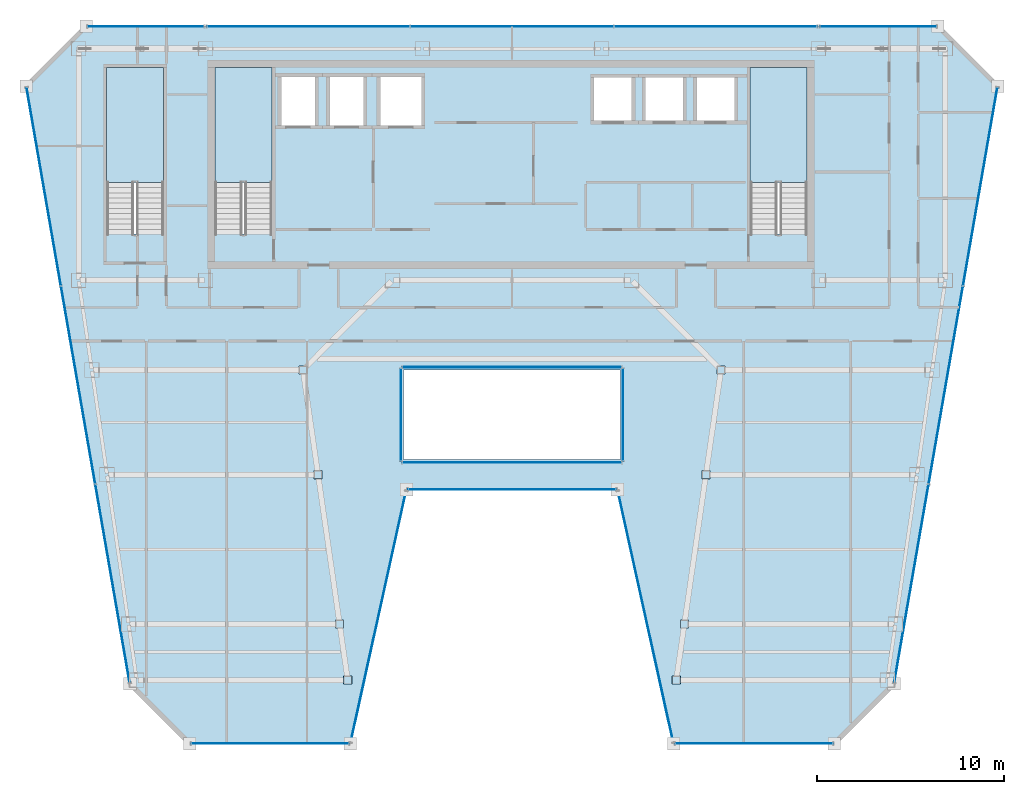
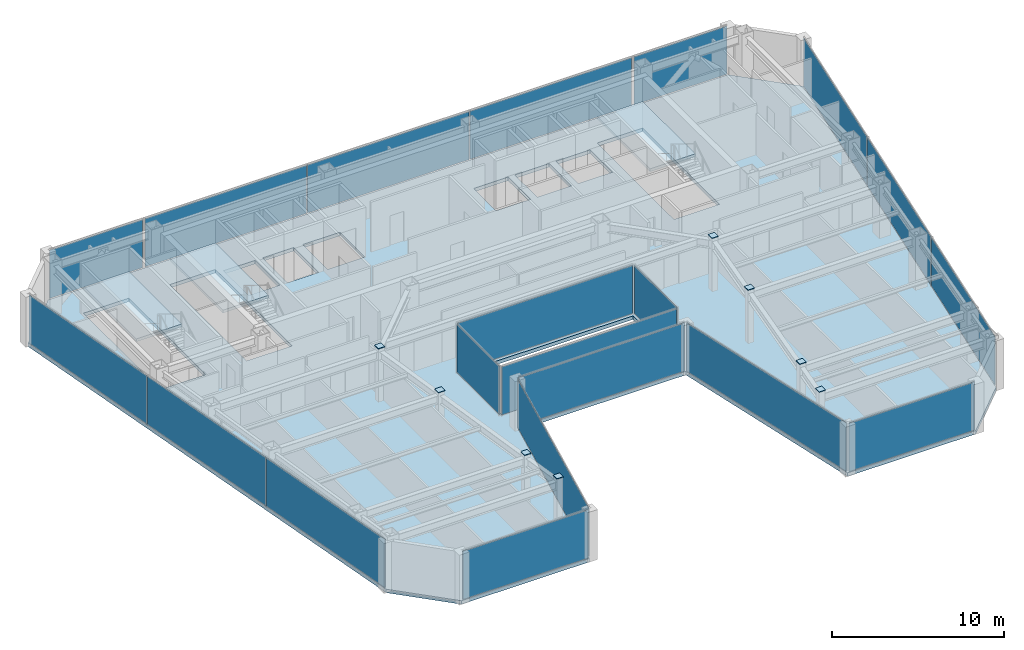
# One storey, part 24 of 33: 28 plates, 4 slabs, 17 elements without a shape of their own.
"""IFC4 building model written with IfcOpenShell, lengths in metres."""

from ifc_helpers import new_model, si_unit, direction, frame, origin, origin_2d, place, context, subcontext, project, spatial, polyline, rectangle, outline, extrude, material, layer, layer_set, type_object, element, aggregate, save


model = new_model("IFC4")

# Units and contexts
model_context = context("Model", 3, precision=1e-05, world=origin(), true_north=direction((0.0, 1.0)))
body_context = subcontext(model_context, "Body", "Model", "MODEL_VIEW")
ifc_project = project(units=[si_unit("LENGTHUNIT", "METRE"), si_unit("AREAUNIT", "SQUARE_METRE"), si_unit("VOLUMEUNIT", "CUBIC_METRE"), si_unit("PLANEANGLEUNIT", "RADIAN"), si_unit("MASSUNIT", "GRAM", prefix="KILO")], contexts=[model_context])

# Site, building, storey
site_placement = place(None, origin())
site = spatial("IfcSite", under=ifc_project, at=site_placement, CompositionType="ELEMENT")
building_placement = place(site_placement, origin())
building = spatial("IfcBuilding", under=site, at=building_placement, Name="Saevonmaru Cultural Tower", CompositionType="ELEMENT")
storey_placement = place(building_placement, frame((0.0, 0.0, 234.39990234375)))
storey = spatial("IfcBuildingStorey", under=building, at=storey_placement, Name="L54", CompositionType="ELEMENT", Elevation=234.39990234375)

# Plates
ifc_material_1 = material(Name="Steel HSA600 (600 MPa)", Category="steel")
ifc_layer_1 = layer(ifc_material_1, 0.0400390625, Name="Steel HSA600 (600 MPa)")
ifc_layer_set_1 = layer_set([ifc_layer_1], Name="Steel HSA600 (600 MPa)")
plate_type_1 = type_object("IfcPlateType", Name="PL-CAP-400", PredefinedType="USERDEFINED", material=ifc_layer_set_1)
for number, where, z_axis, x_axis, name in (
    (1, (38.7939453125, 21.0, 3.795166015625), (0.0, 0.0, 1.0), (1.0, 0.0, 0.0), "Column head cap plate TC-EI-Y210 L54"),
    (2, (39.22802734375, 24.0, 3.795166015625), (0.0, 0.0, 1.0), (1.0, 0.0, 0.0), "Column head cap plate TC-EI-Y240 L54"),
    (3, (40.383056640625, 32.0, 3.795166015625), (0.0, 0.0, 1.0), (1.0, 0.0, 0.0), "Column head cap plate TC-EI-Y320 L54"),
    (4, (41.19189453125, 37.60009765625, 3.795166015625), (0.0, 0.0, 1.0), (1.0, 0.0, 0.0), "Column head cap plate TC-EI-Y376 L54"),
    (5, (21.2060546875, 21.0, 3.795166015625), (0.0, 0.0, 1.0), (1.0, 0.0, 0.0), "Column head cap plate TC-WI-Y210 L54"),
    (6, (20.77197265625, 24.0, 3.795166015625), (0.0, 0.0, 1.0), (1.0, 0.0, 0.0), "Column head cap plate TC-WI-Y240 L54"),
    (7, (19.616943359375, 32.0, 3.795166015625), (0.0, 0.0, 1.0), (1.0, 0.0, 0.0), "Column head cap plate TC-WI-Y320 L54"),
    (8, (18.80810546875, 37.60009765625, 3.795166015625), (0.0, 0.0, 1.0), (1.0, 0.0, 0.0), "Column head cap plate TC-WI-Y376 L54"),
):
    element("IfcPlate", number, at=place(storey_placement, frame(where, z_axis=z_axis, x_axis=x_axis)), inside=storey, type_object=plate_type_1, Name=name, ObjectType="CAP_PLATE", PredefinedType="USERDEFINED", context=body_context, shape_type="SweptSolid", body=[
        extrude(rectangle(XDim=0.43994140625, YDim=0.43994140625, at=origin_2d()), origin(), (0.0, 0.0, 1.0), 0.0400390625),
    ])

# Curtain wall, plate
ifc_material_2 = material(Name="Satin Bronze Anodised Aluminium", Category="aluminium")
curtain_wall_type_1 = type_object("IfcCurtainWallType", Name="CW-ATR-GLZ", PredefinedType="NOTDEFINED", material=ifc_material_2)
curtain_wall_1_placement = place(storey_placement, origin())
curtain_wall_1 = element("IfcCurtainWall", 9, at=curtain_wall_1_placement, inside=storey, type_object=curtain_wall_type_1, Name="L54 Vertical Atrium Glazed Smoke Screen 1", PredefinedType="NOTDEFINED")
ifc_material_3 = material(Name="Fire-Rated Laminated Atrium Glass", Category="glass")
ifc_layer_2 = layer(ifc_material_3, 0.031982421875, Name="Fire-Rated Laminated Atrium Glass")
ifc_layer_set_2 = layer_set([ifc_layer_2], Name="Fire-Rated Laminated Atrium Glass")
plate_type_2 = type_object("IfcPlateType", Name="PN-GLZ-ATR-INT", PredefinedType="CURTAIN_PANEL", material=ifc_layer_set_2)
plate_1_placement = place(storey_placement, frame((30.0, 32.64990234375, 0.067138671875), z_axis=(0.0, 0.0, 1.0), x_axis=(1.0, 0.0, 0.0)))
plate_1 = element("IfcPlate", 10, at=plate_1_placement, type_object=plate_type_2, Name="CW-ATR-L54-1 panel 1.1", PredefinedType="CURTAIN_PANEL", context=body_context, shape_type="SweptSolid", body=[
    extrude(rectangle(XDim=11.7109375, YDim=0.031982421875, at=origin_2d()), origin(), (0.0, 0.0, 1.0), 3.416015625),
])
aggregate(curtain_wall_1, [plate_1])

curtain_wall_2_placement = place(storey_placement, origin())
curtain_wall_2 = element("IfcCurtainWall", 11, at=curtain_wall_2_placement, inside=storey, type_object=curtain_wall_type_1, Name="L54 Vertical Atrium Glazed Smoke Screen 2", PredefinedType="NOTDEFINED")
plate_2_placement = place(storey_placement, frame((35.949951171875, 35.199951171875, 0.067138671875), z_axis=(0.0, 0.0, 1.0), x_axis=(0.0, 1.0, 0.0)))
plate_2 = element("IfcPlate", 12, at=plate_2_placement, type_object=plate_type_2, Name="CW-ATR-L54-2 panel 1.1", PredefinedType="CURTAIN_PANEL", context=body_context, shape_type="SweptSolid", body=[
    extrude(rectangle(XDim=4.910888671875, YDim=0.031982421875, at=origin_2d()), origin(), (0.0, 0.0, 1.0), 3.416015625),
])
aggregate(curtain_wall_2, [plate_2])

curtain_wall_3_placement = place(storey_placement, origin())
curtain_wall_3 = element("IfcCurtainWall", 13, at=curtain_wall_3_placement, inside=storey, type_object=curtain_wall_type_1, Name="L54 Vertical Atrium Glazed Smoke Screen 3", PredefinedType="NOTDEFINED")
plate_3_placement = place(storey_placement, frame((30.0, 37.75, 0.067138671875), z_axis=(0.0, 0.0, 1.0), x_axis=(-1.0, 0.0, 0.0)))
plate_3 = element("IfcPlate", 14, at=plate_3_placement, type_object=plate_type_2, Name="CW-ATR-L54-3 panel 1.1", PredefinedType="CURTAIN_PANEL", context=body_context, shape_type="SweptSolid", body=[
    extrude(rectangle(XDim=11.7109375, YDim=0.031982421875, at=origin_2d()), origin(), (0.0, 0.0, 1.0), 3.416015625),
])
aggregate(curtain_wall_3, [plate_3])

curtain_wall_4_placement = place(storey_placement, origin())
curtain_wall_4 = element("IfcCurtainWall", 15, at=curtain_wall_4_placement, inside=storey, type_object=curtain_wall_type_1, Name="L54 Vertical Atrium Glazed Smoke Screen 4", PredefinedType="NOTDEFINED")
plate_4_placement = place(storey_placement, frame((24.050048828125, 35.199951171875, 0.067138671875), z_axis=(0.0, 0.0, 1.0), x_axis=(0.0, -1.0, 0.0)))
plate_4 = element("IfcPlate", 16, at=plate_4_placement, type_object=plate_type_2, Name="CW-ATR-L54-4 panel 1.1", PredefinedType="CURTAIN_PANEL", context=body_context, shape_type="SweptSolid", body=[
    extrude(rectangle(XDim=4.910888671875, YDim=0.031982421875, at=origin_2d()), origin(), (0.0, 0.0, 1.0), 3.416015625),
])
aggregate(curtain_wall_4, [plate_4])

curtain_wall_type_2 = type_object("IfcCurtainWallType", Name="CW-TYP-B", PredefinedType="NOTDEFINED", material=ifc_material_2)
curtain_wall_5_placement = place(storey_placement, origin())
curtain_wall_5 = element("IfcCurtainWall", 17, at=curtain_wall_5_placement, inside=storey, type_object=curtain_wall_type_2, Name="L54 Unitised Curtain Wall E2", PredefinedType="NOTDEFINED")
ifc_material_4 = material(Name="Triple Silver Low-E Insulating Glass", Category="glass")
ifc_layer_3 = layer(ifc_material_4, 0.035888671875, Name="Triple Silver Low-E Insulating Glass")
ifc_layer_set_3 = layer_set([ifc_layer_3], Name="Triple Silver Low-E Insulating Glass")
plate_type_3 = type_object("IfcPlateType", Name="PN-GLZ-IGU", PredefinedType="CURTAIN_PANEL", material=ifc_layer_set_3)
plate_5_placement = place(storey_placement, frame((17.046630859375, 17.60009765625, 0.067138671875), z_axis=(0.0, 0.0, 1.0), x_axis=(1.0, 0.0, 0.0)))
plate_5 = element("IfcPlate", 18, at=plate_5_placement, type_object=plate_type_3, Name="CW-TW-L54-E2 panel 1.1", PredefinedType="CURTAIN_PANEL", context=body_context, shape_type="SweptSolid", body=[
    extrude(rectangle(XDim=8.410888671875, YDim=0.035888671875, at=origin_2d()), origin(), (0.0, 0.0, 1.0), 3.416015625),
])
aggregate(curtain_wall_5, [plate_5])

curtain_wall_6_placement = place(storey_placement, origin())
curtain_wall_6 = element("IfcCurtainWall", 19, at=curtain_wall_6_placement, inside=storey, type_object=curtain_wall_type_2, Name="L54 Unitised Curtain Wall E3", PredefinedType="NOTDEFINED")
plate_6_placement = place(storey_placement, frame((22.8466796875, 24.39990234375, 0.067138671875), z_axis=(0.0, 0.0, 1.0), x_axis=(0.215413319953, 0.976522965212, 0.0)))
plate_6 = element("IfcPlate", 20, at=plate_6_placement, type_object=plate_type_3, Name="CW-TW-L54-E3 panel 1.1", PredefinedType="CURTAIN_PANEL", context=body_context, shape_type="SweptSolid", body=[
    extrude(rectangle(XDim=13.738037109375, YDim=0.035888671875, at=origin_2d()), origin(), (0.0, 0.0, 1.0), 3.416015625),
])
aggregate(curtain_wall_6, [plate_6])

curtain_wall_7_placement = place(storey_placement, origin())
curtain_wall_7 = element("IfcCurtainWall", 21, at=curtain_wall_7_placement, inside=storey, type_object=curtain_wall_type_2, Name="L54 Unitised Curtain Wall E4", PredefinedType="NOTDEFINED")
plate_7_placement = place(storey_placement, frame((30.0, 31.199951171875, 0.067138671875), z_axis=(0.0, 0.0, 1.0), x_axis=(1.0, 0.0, 0.0)))
plate_7 = element("IfcPlate", 22, at=plate_7_placement, type_object=plate_type_3, Name="CW-TW-L54-E4 panel 1.1", PredefinedType="CURTAIN_PANEL", context=body_context, shape_type="SweptSolid", body=[
    extrude(rectangle(XDim=11.11767578125, YDim=0.035888671875, at=origin_2d()), origin(), (0.0, 0.0, 1.0), 3.416015625),
])
aggregate(curtain_wall_7, [plate_7])

curtain_wall_8_placement = place(storey_placement, origin())
curtain_wall_8 = element("IfcCurtainWall", 23, at=curtain_wall_8_placement, inside=storey, type_object=curtain_wall_type_2, Name="L54 Unitised Curtain Wall E5", PredefinedType="NOTDEFINED")
plate_8_placement = place(storey_placement, frame((37.1533203125, 24.39990234375, 0.067138671875), z_axis=(0.0, 0.0, 1.0), x_axis=(0.215413319953, -0.976522965212, 0.0)))
plate_8 = element("IfcPlate", 24, at=plate_8_placement, type_object=plate_type_3, Name="CW-TW-L54-E5 panel 1.1", PredefinedType="CURTAIN_PANEL", context=body_context, shape_type="SweptSolid", body=[
    extrude(rectangle(XDim=13.738037109375, YDim=0.035888671875, at=origin_2d()), origin(), (0.0, 0.0, 1.0), 3.416015625),
])
aggregate(curtain_wall_8, [plate_8])

curtain_wall_9_placement = place(storey_placement, origin())
curtain_wall_9 = element("IfcCurtainWall", 25, at=curtain_wall_9_placement, inside=storey, type_object=curtain_wall_type_2, Name="L54 Unitised Curtain Wall E6", PredefinedType="NOTDEFINED")
plate_9_placement = place(storey_placement, frame((42.953369140625, 17.60009765625, 0.067138671875), z_axis=(0.0, 0.0, 1.0), x_axis=(1.0, 0.0, 0.0)))
plate_9 = element("IfcPlate", 26, at=plate_9_placement, type_object=plate_type_3, Name="CW-TW-L54-E6 panel 1.1", PredefinedType="CURTAIN_PANEL", context=body_context, shape_type="SweptSolid", body=[
    extrude(rectangle(XDim=8.410888671875, YDim=0.035888671875, at=origin_2d()), origin(), (0.0, 0.0, 1.0), 3.416015625),
])
aggregate(curtain_wall_9, [plate_9])

# Curtain wall, plates
curtain_wall_10_placement = place(storey_placement, origin())
curtain_wall_10 = element("IfcCurtainWall", 27, at=curtain_wall_10_placement, inside=storey, type_object=curtain_wall_type_2, Name="L54 Unitised Curtain Wall E8", PredefinedType="NOTDEFINED")
plate_10_placement = place(storey_placement, frame((51.384521484375, 26.1728515625, 0.067138671875), z_axis=(0.0, 0.0, 1.0), x_axis=(0.170790369887, 0.985307388359, 0.0)))
plate_10 = element("IfcPlate", 28, at=plate_10_placement, type_object=plate_type_3, Name="CW-TW-L54-E8 panel 1.1", PredefinedType="CURTAIN_PANEL", context=body_context, shape_type="SweptSolid", body=[
    extrude(rectangle(XDim=10.716796875, YDim=0.035888671875, at=origin_2d()), origin(), (0.0, 0.0, 1.0), 3.416015625),
])
plate_11_placement = place(storey_placement, frame((53.2265625, 36.800048828125, 0.067138671875), z_axis=(0.0, 0.0, 1.0), x_axis=(0.170790369887, 0.985307388359, 0.0)))
plate_11 = element("IfcPlate", 29, at=plate_11_placement, type_object=plate_type_3, Name="CW-TW-L54-E8 panel 2.1", PredefinedType="CURTAIN_PANEL", context=body_context, shape_type="SweptSolid", body=[
    extrude(rectangle(XDim=10.716796875, YDim=0.035888671875, at=origin_2d()), origin(), (0.0, 0.0, 1.0), 3.416015625),
])
plate_12_placement = place(storey_placement, frame((55.06884765625, 47.42724609375, 0.067138671875), z_axis=(0.0, 0.0, 1.0), x_axis=(0.170790369887, 0.985307388359, 0.0)))
plate_12 = element("IfcPlate", 30, at=plate_12_placement, type_object=plate_type_3, Name="CW-TW-L54-E8 panel 3.1", PredefinedType="CURTAIN_PANEL", context=body_context, shape_type="SweptSolid", body=[
    extrude(rectangle(XDim=10.716796875, YDim=0.035888671875, at=origin_2d()), origin(), (0.0, 0.0, 1.0), 3.416015625),
])
aggregate(curtain_wall_10, [plate_10, plate_11, plate_12])

curtain_wall_11_placement = place(storey_placement, origin())
curtain_wall_11 = element("IfcCurtainWall", 31, at=curtain_wall_11_placement, inside=storey, type_object=curtain_wall_type_2, Name="L54 North Spine Unitised Curtain Wall E10B", PredefinedType="NOTDEFINED")
plate_13_placement = place(storey_placement, frame((40.893310546875, 56.0, 0.067138671875), z_axis=(0.0, 0.0, 1.0), x_axis=(-1.0, 0.0, 0.0)))
plate_13 = element("IfcPlate", 32, at=plate_13_placement, type_object=plate_type_3, Name="CW-TW-L54-E10B panel 1.1", PredefinedType="CURTAIN_PANEL", context=body_context, shape_type="SweptSolid", body=[
    extrude(rectangle(XDim=10.82421875, YDim=0.035888671875, at=origin_2d()), origin(), (0.0, 0.0, 1.0), 3.416015625),
])
plate_14_placement = place(storey_placement, frame((30.0, 56.0, 0.067138671875), z_axis=(0.0, 0.0, 1.0), x_axis=(-1.0, 0.0, 0.0)))
plate_14 = element("IfcPlate", 33, at=plate_14_placement, type_object=plate_type_3, Name="CW-TW-L54-E10B panel 2.1", PredefinedType="CURTAIN_PANEL", context=body_context, shape_type="SweptSolid", body=[
    extrude(rectangle(XDim=10.82421875, YDim=0.035888671875, at=origin_2d()), origin(), (0.0, 0.0, 1.0), 3.416015625),
])
plate_15_placement = place(storey_placement, frame((19.106689453125, 56.0, 0.067138671875), z_axis=(0.0, 0.0, 1.0), x_axis=(-1.0, 0.0, 0.0)))
plate_15 = element("IfcPlate", 34, at=plate_15_placement, type_object=plate_type_3, Name="CW-TW-L54-E10B panel 3.1", PredefinedType="CURTAIN_PANEL", context=body_context, shape_type="SweptSolid", body=[
    extrude(rectangle(XDim=10.82421875, YDim=0.035888671875, at=origin_2d()), origin(), (0.0, 0.0, 1.0), 3.416015625),
])
aggregate(curtain_wall_11, [plate_13, plate_14, plate_15])

curtain_wall_12_placement = place(storey_placement, origin())
curtain_wall_12 = element("IfcCurtainWall", 35, at=curtain_wall_12_placement, inside=storey, type_object=curtain_wall_type_2, Name="L54 Unitised Curtain Wall E12", PredefinedType="NOTDEFINED")
plate_16_placement = place(storey_placement, frame((4.93115234375, 47.42724609375, 0.067138671875), z_axis=(0.0, 0.0, 1.0), x_axis=(0.170790369887, -0.985307388359, 0.0)))
plate_16 = element("IfcPlate", 36, at=plate_16_placement, type_object=plate_type_3, Name="CW-TW-L54-E12 panel 1.1", PredefinedType="CURTAIN_PANEL", context=body_context, shape_type="SweptSolid", body=[
    extrude(rectangle(XDim=10.716796875, YDim=0.035888671875, at=origin_2d()), origin(), (0.0, 0.0, 1.0), 3.416015625),
])
plate_17_placement = place(storey_placement, frame((6.7734375, 36.800048828125, 0.067138671875), z_axis=(0.0, 0.0, 1.0), x_axis=(0.170790369887, -0.985307388359, 0.0)))
plate_17 = element("IfcPlate", 37, at=plate_17_placement, type_object=plate_type_3, Name="CW-TW-L54-E12 panel 2.1", PredefinedType="CURTAIN_PANEL", context=body_context, shape_type="SweptSolid", body=[
    extrude(rectangle(XDim=10.716796875, YDim=0.035888671875, at=origin_2d()), origin(), (0.0, 0.0, 1.0), 3.416015625),
])
plate_18_placement = place(storey_placement, frame((8.615478515625, 26.1728515625, 0.067138671875), z_axis=(0.0, 0.0, 1.0), x_axis=(0.170790369887, -0.985307388359, 0.0)))
plate_18 = element("IfcPlate", 38, at=plate_18_placement, type_object=plate_type_3, Name="CW-TW-L54-E12 panel 3.1", PredefinedType="CURTAIN_PANEL", context=body_context, shape_type="SweptSolid", body=[
    extrude(rectangle(XDim=10.716796875, YDim=0.035888671875, at=origin_2d()), origin(), (0.0, 0.0, 1.0), 3.416015625),
])
aggregate(curtain_wall_12, [plate_16, plate_17, plate_18])

# Curtain wall, plate
curtain_wall_13_placement = place(storey_placement, origin())
curtain_wall_13 = element("IfcCurtainWall", 39, at=curtain_wall_13_placement, inside=storey, type_object=curtain_wall_type_2, Name="L54 East Braced Bay Spandrel Curtain Wall E10A", PredefinedType="NOTDEFINED")
ifc_material_5 = material(Name="Insulated Satin Bronze Aluminium Spandrel Panel", Category="aluminium")
ifc_layer_4 = layer(ifc_material_5, 0.0400390625, Name="Insulated Satin Bronze Aluminium Spandrel Panel")
ifc_layer_set_4 = layer_set([ifc_layer_4], Name="Insulated Satin Bronze Aluminium Spandrel Panel")
plate_type_4 = type_object("IfcPlateType", Name="PN-SPANDREL-BRONZE", PredefinedType="CURTAIN_PANEL", material=ifc_layer_set_4)
plate_19_placement = place(storey_placement, frame((49.60009765625, 56.0, 0.067138671875), z_axis=(0.0, 0.0, 1.0), x_axis=(-1.0, 0.0, 0.0)))
plate_19 = element("IfcPlate", 40, at=plate_19_placement, type_object=plate_type_4, Name="CW-TW-L54-E10A panel 1.1", PredefinedType="CURTAIN_PANEL", context=body_context, shape_type="SweptSolid", body=[
    extrude(rectangle(XDim=6.2109375, YDim=0.035888671875, at=origin_2d()), origin(), (0.0, 0.0, 1.0), 3.416015625),
])
aggregate(curtain_wall_13, [plate_19])

curtain_wall_14_placement = place(storey_placement, origin())
curtain_wall_14 = element("IfcCurtainWall", 41, at=curtain_wall_14_placement, inside=storey, type_object=curtain_wall_type_2, Name="L54 West Braced Bay Spandrel Curtain Wall E10C", PredefinedType="NOTDEFINED")
plate_20_placement = place(storey_placement, frame((10.39990234375, 56.0, 0.067138671875), z_axis=(0.0, 0.0, 1.0), x_axis=(-1.0, 0.0, 0.0)))
plate_20 = element("IfcPlate", 42, at=plate_20_placement, type_object=plate_type_4, Name="CW-TW-L54-E10C panel 1.1", PredefinedType="CURTAIN_PANEL", context=body_context, shape_type="SweptSolid", body=[
    extrude(rectangle(XDim=6.2109375, YDim=0.035888671875, at=origin_2d()), origin(), (0.0, 0.0, 1.0), 3.416015625),
])
aggregate(curtain_wall_14, [plate_20])

# Slab
ifc_material_6 = material(Name="Concrete C40/50", Category="concrete")
ifc_layer_5 = layer(ifc_material_6, 0.25, Name="Concrete C40/50")
ifc_layer_set_5 = layer_set([ifc_layer_5], Name="Concrete C40/50")
slab_type_1 = type_object("IfcSlabType", Name="SL-FLR-250", PredefinedType="FLOOR", material=ifc_layer_set_5)
slab_1_placement = place(storey_placement, frame((0.0, 0.0, -0.25)))
element("IfcSlab", 43, at=slab_1_placement, inside=storey, type_object=slab_type_1, Name="L54 Tower Structural Floor Slab", PredefinedType="FLOOR", context=body_context, shape_type="SweptSolid", body=[
    extrude(outline(polyline([(9.546630859375, 20.800048828125), (12.74658203125, 17.60009765625), (21.3466796875, 17.60009765625), (24.3466796875, 31.199951171875), (35.6533203125, 31.199951171875), (38.6533203125, 17.60009765625), (47.25341796875, 17.60009765625), (50.453369140625, 20.800048828125), (56.0, 52.800048828125), (52.800048828125, 56.0), (7.199951171875, 56.0), (4.0, 52.800048828125), (9.546630859375, 20.800048828125)]), holes=[polyline([(45.800048828125, 44.875), (42.75, 44.875), (42.75, 53.800048828125), (45.800048828125, 53.800048828125), (45.800048828125, 44.875)]), polyline([(39.75, 50.800048828125), (39.75, 53.39990234375), (42.050048828125, 53.39990234375), (42.050048828125, 50.800048828125), (39.75, 50.800048828125)]), polyline([(37.0, 50.800048828125), (37.0, 53.39990234375), (39.300048828125, 53.39990234375), (39.300048828125, 50.800048828125), (37.0, 50.800048828125)]), polyline([(36.550048828125, 50.800048828125), (34.25, 50.800048828125), (34.25, 53.39990234375), (36.550048828125, 53.39990234375), (36.550048828125, 50.800048828125)]), polyline([(35.800048828125, 32.800048828125), (24.199951171875, 32.800048828125), (24.199951171875, 37.60009765625), (35.800048828125, 37.60009765625), (35.800048828125, 32.800048828125)]), polyline([(25.300048828125, 50.550048828125), (22.800048828125, 50.550048828125), (22.800048828125, 53.449951171875), (25.300048828125, 53.449951171875), (25.300048828125, 50.550048828125)]), polyline([(22.199951171875, 50.550048828125), (20.10009765625, 50.550048828125), (20.10009765625, 53.449951171875), (22.199951171875, 53.449951171875), (22.199951171875, 50.550048828125)]), polyline([(17.5, 50.550048828125), (17.5, 53.449951171875), (19.60009765625, 53.449951171875), (19.60009765625, 50.550048828125), (17.5, 50.550048828125)]), polyline([(17.14990234375, 53.800048828125), (17.14990234375, 44.875), (14.10009765625, 44.875), (14.10009765625, 53.800048828125), (17.14990234375, 53.800048828125)]), polyline([(11.35009765625, 53.800048828125), (11.35009765625, 44.875), (8.300048828125, 44.875), (8.300048828125, 53.800048828125), (11.35009765625, 53.800048828125)])]), origin(), (0.0, 0.0, 1.0), 0.25),
])

# Stair, slab
stair_type = type_object("IfcStairType", Name="STR-DOGLEG-RC", PredefinedType="HALF_TURN_STAIR", material=ifc_material_6)
stair_1_placement = place(storey_placement, origin())
stair_1 = element("IfcStair", 44, at=stair_1_placement, inside=storey, type_object=stair_type, Name="L54 Protected exit stair ST-1", PredefinedType="HALF_TURN_STAIR")
ifc_layer_6 = layer(ifc_material_6, 0.199951171875, Name="Concrete C40/50")
ifc_layer_set_6 = layer_set([ifc_layer_6], Name="Concrete C40/50")
slab_type_2 = type_object("IfcSlabType", Name="SL-STAIR-LANDING", PredefinedType="LANDING", material=ifc_layer_set_6)
slab_2_placement = place(storey_placement, frame((0.0, 0.0, 1.7001953125)))
slab_2 = element("IfcSlab", 45, at=slab_2_placement, type_object=slab_type_2, Name="ST-1-L54 landing 1", PredefinedType="LANDING", context=body_context, shape_type="SweptSolid", body=[
    extrude(outline(polyline([(17.14990234375, 47.64990234375), (17.14990234375, 53.800048828125), (14.10009765625, 53.800048828125), (14.10009765625, 47.64990234375), (17.14990234375, 47.64990234375)])), origin(), (0.0, 0.0, 1.0), 0.199951171875),
])
aggregate(stair_1, [slab_2])

stair_2_placement = place(storey_placement, origin())
stair_2 = element("IfcStair", 46, at=stair_2_placement, inside=storey, type_object=stair_type, Name="L54 Protected exit stair ST-2", PredefinedType="HALF_TURN_STAIR")
slab_3_placement = place(storey_placement, frame((0.0, 0.0, 1.7001953125)))
slab_3 = element("IfcSlab", 47, at=slab_3_placement, type_object=slab_type_2, Name="ST-2-L54 landing 1", PredefinedType="LANDING", context=body_context, shape_type="SweptSolid", body=[
    extrude(outline(polyline([(45.800048828125, 47.64990234375), (45.800048828125, 53.800048828125), (42.75, 53.800048828125), (42.75, 47.64990234375), (45.800048828125, 47.64990234375)])), origin(), (0.0, 0.0, 1.0), 0.199951171875),
])
aggregate(stair_2, [slab_3])

stair_3_placement = place(storey_placement, origin())
stair_3 = element("IfcStair", 48, at=stair_3_placement, inside=storey, type_object=stair_type, Name="L54 Protected exit stair ST-3", PredefinedType="HALF_TURN_STAIR")
slab_4_placement = place(storey_placement, frame((0.0, 0.0, 1.7001953125)))
slab_4 = element("IfcSlab", 49, at=slab_4_placement, type_object=slab_type_2, Name="ST-3-L54 landing 1", PredefinedType="LANDING", context=body_context, shape_type="SweptSolid", body=[
    extrude(outline(polyline([(11.35009765625, 47.64990234375), (11.35009765625, 53.800048828125), (8.300048828125, 53.800048828125), (8.300048828125, 47.64990234375), (11.35009765625, 47.64990234375)])), origin(), (0.0, 0.0, 1.0), 0.199951171875),
])
aggregate(stair_3, [slab_4])

save(model, "model.ifc")
